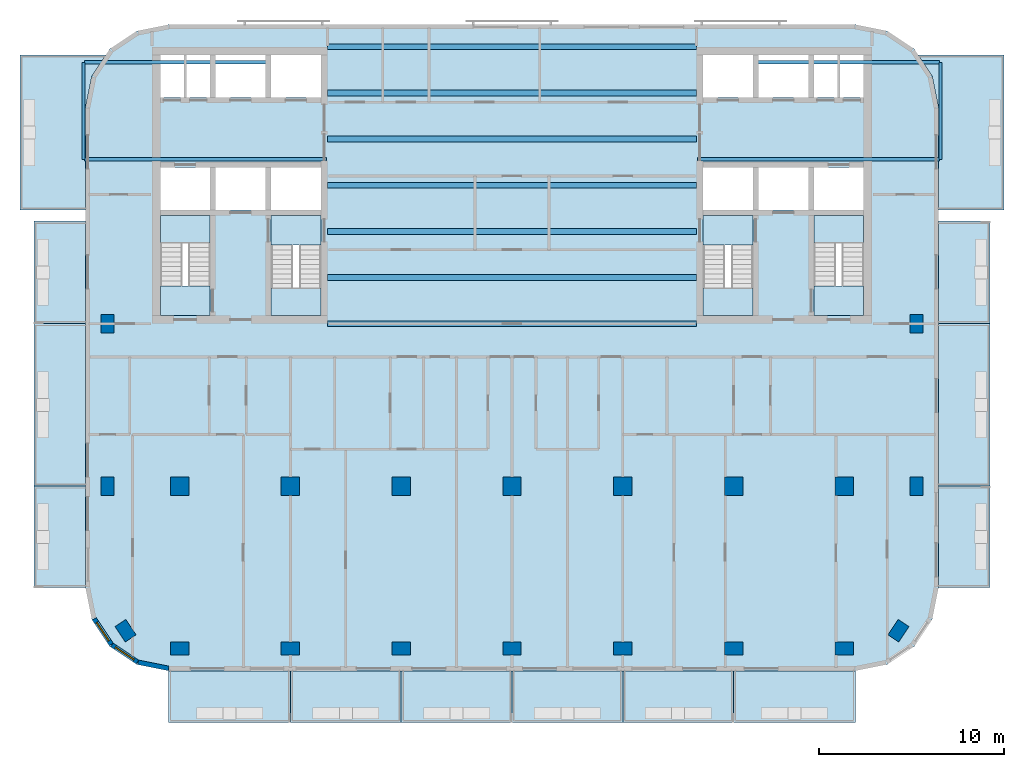
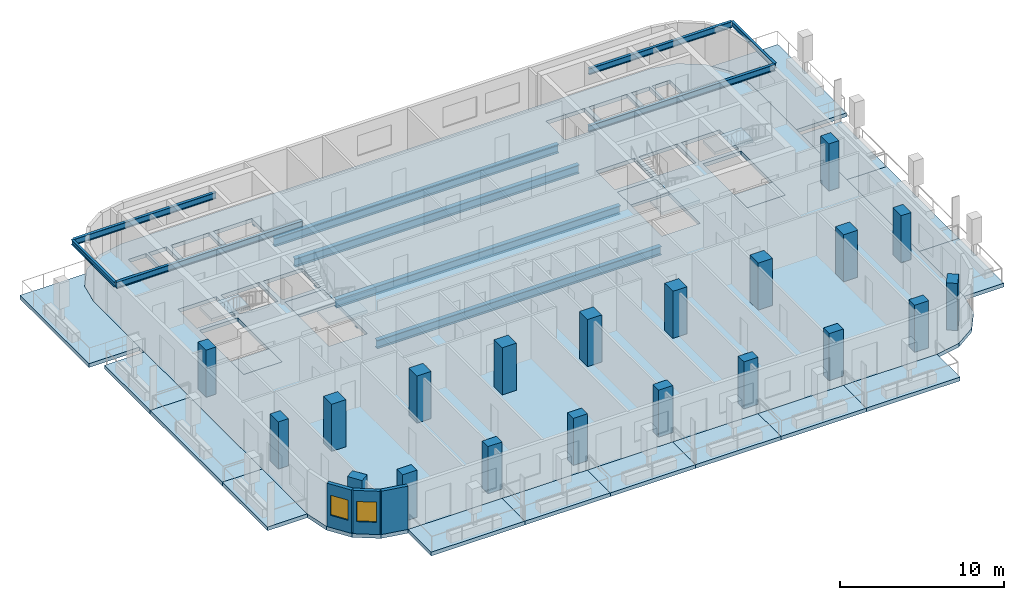
# One storey, part 1 of 11: 23 slabs, 20 columns, 13 beams, 3 walls, 2 windows, 2 openings, 4 elements without a shape of their own.
"""IFC4 building model written with IfcOpenShell, lengths in metres."""

from ifc_helpers import new_model, si_unit, direction, frame, frame_2d, origin, origin_2d, place, context, subcontext, project, spatial, polyline, rectangle, i_section, outline, extrude, material, layer, layer_set, material_profile, profile_set, type_object, element, fill, aggregate, save


model = new_model("IFC4")

# Units and contexts
model_context = context("Model", 3, precision=1e-05, world=origin(), true_north=direction((0.0, 1.0)))
body_context = subcontext(model_context, "Body", "Model", "MODEL_VIEW")
ifc_project = project(units=[si_unit("LENGTHUNIT", "METRE"), si_unit("AREAUNIT", "SQUARE_METRE"), si_unit("VOLUMEUNIT", "CUBIC_METRE"), si_unit("PLANEANGLEUNIT", "RADIAN"), si_unit("MASSUNIT", "GRAM", prefix="KILO")], contexts=[model_context])

# Site, building, storey
site_placement = place(None, origin())
site = spatial("IfcSite", under=ifc_project, at=site_placement, CompositionType="ELEMENT")
building_placement = place(site_placement, origin())
building = spatial("IfcBuilding", under=site, at=building_placement, Name="Torana Hotel and Residences", CompositionType="ELEMENT")
storey_placement = place(building_placement, frame((0.0, 0.0, 291.10009765625)))
storey = spatial("IfcBuildingStorey", under=building, at=storey_placement, Name="L77", CompositionType="ELEMENT", Elevation=291.10009765625)

# Columns
ifc_material_1 = material(Name="Concrete C50/60", Category="concrete")
ifc_material_profile_1 = material_profile(ifc_material_1, rectangle(XDim=1.0, YDim=1.0, at=origin_2d()), Name="RC 1000x1000")
ifc_profile_set_1 = profile_set([ifc_material_profile_1], Name="Concrete C50/60")
column_type_1 = type_object("IfcColumnType", Name="COLUMN RC 1000x1000 C50/60", PredefinedType="COLUMN", material=ifc_profile_set_1)
for number, where, z_axis, x_axis, name in (
    (1, (-18.0, -23.800048828125, 0.0), (0.0, 0.0, 1.0), (1.0, 0.0, 0.0), "Column L77"),
    (2, (-12.0, -23.800048828125, 0.0), (0.0, 0.0, 1.0), (1.0, 0.0, 0.0), "Column L77"),
    (3, (-6.0, -23.800048828125, 0.0), (0.0, 0.0, 1.0), (1.0, 0.0, 0.0), "Column L77"),
    (4, (0.0, -23.800048828125, 0.0), (0.0, 0.0, 1.0), (1.0, 0.0, 0.0), "Column L77"),
    (5, (6.0, -23.800048828125, 0.0), (0.0, 0.0, 1.0), (1.0, 0.0, 0.0), "Column L77"),
    (6, (12.0, -23.800048828125, 0.0), (0.0, 0.0, 1.0), (1.0, 0.0, 0.0), "Column L77"),
    (7, (18.0, -23.800048828125, 0.0), (0.0, 0.0, 1.0), (1.0, 0.0, 0.0), "Column L77"),
):
    element("IfcColumn", number, at=place(storey_placement, frame(where, z_axis=z_axis, x_axis=x_axis)), inside=storey, type_object=column_type_1, Name=name, PredefinedType="COLUMN", context=body_context, shape_type="SweptSolid", body=[
        extrude(rectangle(XDim=1.0, YDim=1.0, at=origin_2d()), origin(), (0.0, 0.0, 1.0), 3.5),
    ])
ifc_material_2 = material(Name="Concrete C50/60", Category="concrete")
ifc_material_profile_2 = material_profile(ifc_material_2, rectangle(XDim=1.0, YDim=0.699951171875, at=origin_2d()), Name="RC 1000x700")
ifc_profile_set_2 = profile_set([ifc_material_profile_2], Name="Concrete C50/60")
column_type_2 = type_object("IfcColumnType", Name="COLUMN RC 1000x700 C50/60", PredefinedType="COLUMN", material=ifc_profile_set_2)
for number, where, z_axis, x_axis, name in (
    (8, (-21.89990234375, -23.800048828125, 0.0), (0.0, 0.0, 1.0), (0.0, 1.0, 0.0), "Column L77"),
    (9, (-21.89990234375, -15.0, 0.0), (0.0, 0.0, 1.0), (0.0, 1.0, 0.0), "Column L77"),
    (10, (-20.93310546875, -31.633056640625, 0.0), (0.0, 0.0, 1.0), (-0.555584744817, 0.831459915646, 0.0), "Column L77"),
    (11, (-18.0, -32.60009765625, 0.0), (0.0, 0.0, 1.0), (1.0, 0.0, 0.0), "Column L77"),
    (12, (-12.0, -32.60009765625, 0.0), (0.0, 0.0, 1.0), (1.0, 0.0, 0.0), "Column L77"),
    (13, (-6.0, -32.60009765625, 0.0), (0.0, 0.0, 1.0), (1.0, 0.0, 0.0), "Column L77"),
    (14, (0.0, -32.60009765625, 0.0), (0.0, 0.0, 1.0), (1.0, 0.0, 0.0), "Column L77"),
    (15, (6.0, -32.60009765625, 0.0), (0.0, 0.0, 1.0), (1.0, 0.0, 0.0), "Column L77"),
    (16, (12.0, -32.60009765625, 0.0), (0.0, 0.0, 1.0), (1.0, 0.0, 0.0), "Column L77"),
    (17, (18.0, -32.60009765625, 0.0), (0.0, 0.0, 1.0), (1.0, 0.0, 0.0), "Column L77"),
    (18, (20.93310546875, -31.633056640625, 0.0), (0.0, 0.0, 1.0), (0.555584744817, 0.831459915646, 0.0), "Column L77"),
    (19, (21.89990234375, -23.800048828125, 0.0), (0.0, 0.0, 1.0), (0.0, 1.0, 0.0), "Column L77"),
    (20, (21.89990234375, -15.0, 0.0), (0.0, 0.0, 1.0), (0.0, 1.0, 0.0), "Column L77"),
):
    element("IfcColumn", number, at=place(storey_placement, frame(where, z_axis=z_axis, x_axis=x_axis)), inside=storey, type_object=column_type_2, Name=name, PredefinedType="COLUMN", context=body_context, shape_type="SweptSolid", body=[
        extrude(rectangle(XDim=1.0, YDim=0.699951171875, at=origin_2d()), origin(), (0.0, 0.0, 1.0), 3.5),
    ])

# Beams
ifc_material_3 = material(Name="Steel S355", Category="steel")
ifc_material_profile_3 = material_profile(ifc_material_3, i_section(OverallWidth=0.19287109375, OverallDepth=0.46728515625, WebThickness=0.011474609375, FlangeThickness=0.01953125, FilletRadius=0.01025390625, at=origin_2d()), Name="457x191x98 UB")
ifc_profile_set_3 = profile_set([ifc_material_profile_3], Name="Steel S355")
beam_type_1 = type_object("IfcBeamType", Name="BALCONY CANTILEVER BEAM 457x191x98 UB", PredefinedType="BEAM", material=ifc_profile_set_3)
beam_1_placement = place(storey_placement, frame((-23.1484375, -6.10009765625, 2.986328125), z_axis=(1.0, 0.0, 0.0), x_axis=(0.0, 1.0, 0.0)))
element("IfcBeam", 21, at=beam_1_placement, inside=storey, type_object=beam_type_1, Name="Balcony cantilever beam", PredefinedType="BEAM", context=body_context, shape_type="SweptSolid", body=[
    extrude(i_section(OverallWidth=0.19287109375, OverallDepth=0.46728515625, WebThickness=0.011474609375, FlangeThickness=0.01953125, FilletRadius=0.01025390625, at=origin_2d()), origin(), (0.0, 0.0, 1.0), 13.098388671875),
])
beam_2_placement = place(storey_placement, frame((-23.1484375, -0.85009765625, 2.986328125), z_axis=(1.0, 0.0, 0.0), x_axis=(0.0, 1.0, 0.0)))
element("IfcBeam", 22, at=beam_2_placement, inside=storey, type_object=beam_type_1, Name="Balcony cantilever beam", PredefinedType="BEAM", context=body_context, shape_type="SweptSolid", body=[
    extrude(i_section(OverallWidth=0.19287109375, OverallDepth=0.46728515625, WebThickness=0.011474609375, FlangeThickness=0.01953125, FilletRadius=0.01025390625, at=origin_2d()), origin(), (0.0, 0.0, 1.0), 10.04833984375),
])
beam_3_placement = place(storey_placement, frame((23.1484375, -6.10009765625, 2.986328125), z_axis=(-1.0, 0.0, 0.0), x_axis=(0.0, -1.0, 0.0)))
element("IfcBeam", 23, at=beam_3_placement, inside=storey, type_object=beam_type_1, Name="Balcony cantilever beam", PredefinedType="BEAM", context=body_context, shape_type="SweptSolid", body=[
    extrude(i_section(OverallWidth=0.19287109375, OverallDepth=0.46728515625, WebThickness=0.011474609375, FlangeThickness=0.01953125, FilletRadius=0.01025390625, at=origin_2d()), origin(), (0.0, 0.0, 1.0), 13.098388671875),
])
beam_4_placement = place(storey_placement, frame((23.1484375, -0.85009765625, 2.986328125), z_axis=(-1.0, 0.0, 0.0), x_axis=(0.0, -1.0, 0.0)))
element("IfcBeam", 24, at=beam_4_placement, inside=storey, type_object=beam_type_1, Name="Balcony cantilever beam", PredefinedType="BEAM", context=body_context, shape_type="SweptSolid", body=[
    extrude(i_section(OverallWidth=0.19287109375, OverallDepth=0.46728515625, WebThickness=0.011474609375, FlangeThickness=0.01953125, FilletRadius=0.01025390625, at=origin_2d()), origin(), (0.0, 0.0, 1.0), 10.04833984375),
])
ifc_material_4 = material(Name="Steel S355", Category="steel")
ifc_material_profile_4 = material_profile(ifc_material_4, i_section(OverallWidth=0.173095703125, OverallDepth=0.36328125, WebThickness=0.009033203125, FlangeThickness=0.015625, FilletRadius=0.01025390625, at=origin_2d()), Name="356x171x67 UB")
ifc_profile_set_4 = profile_set([ifc_material_profile_4], Name="Steel S355")
beam_type_2 = type_object("IfcBeamType", Name="BALCONY TIP BEAM 356x171x67 UB", PredefinedType="BEAM", material=ifc_profile_set_4)
for number, where, z_axis, x_axis, name in (
    (25, (-23.205078125, -6.10009765625, 3.0380859375), (0.0, 1.0, 0.0), (-1.0, 0.0, 0.0), "Balcony tip beam"),
    (26, (23.205078125, -6.10009765625, 3.0380859375), (0.0, 1.0, 0.0), (-1.0, 0.0, 0.0), "Balcony tip beam"),
):
    element("IfcBeam", number, at=place(storey_placement, frame(where, z_axis=z_axis, x_axis=x_axis)), inside=storey, type_object=beam_type_2, Name=name, PredefinedType="BEAM", context=body_context, shape_type="SweptSolid", body=[
        extrude(i_section(OverallWidth=0.173095703125, OverallDepth=0.36328125, WebThickness=0.009033203125, FlangeThickness=0.015625, FilletRadius=0.01025390625, at=origin_2d()), origin(), (0.0, 0.0, 1.0), 5.25),
    ])
ifc_material_5 = material(Name="Steel S355", Category="steel")
ifc_material_profile_5 = material_profile(ifc_material_5, i_section(OverallWidth=0.311279296875, OverallDepth=0.6357421875, WebThickness=0.018310546875, FlangeThickness=0.031494140625, FilletRadius=0.0166015625, at=origin_2d()), Name="610x305x238 UB")
ifc_profile_set_5 = profile_set([ifc_material_profile_5], Name="Steel S355")
beam_type_3 = type_object("IfcBeamType", Name="STEEL GIRDER 610x305x238 UB", PredefinedType="BEAM", material=ifc_profile_set_5)
for number, where, z_axis, x_axis, name in (
    (27, (-10.0, -15.0, -0.597900390625), (1.0, 0.0, 0.0), (0.0, 1.0, 0.0), "Floor girder"),
    (28, (-10.0, -12.5, -0.597900390625), (1.0, 0.0, 0.0), (0.0, 1.0, 0.0), "Floor girder"),
    (29, (-10.0, -10.0, -0.597900390625), (1.0, 0.0, 0.0), (0.0, 1.0, 0.0), "Floor girder"),
    (30, (-10.0, -7.5, -0.597900390625), (1.0, 0.0, 0.0), (0.0, 1.0, 0.0), "Floor girder"),
    (31, (-10.0, -5.0, -0.597900390625), (1.0, 0.0, 0.0), (0.0, 1.0, 0.0), "Floor girder"),
    (32, (-10.0, -2.5, -0.597900390625), (1.0, 0.0, 0.0), (0.0, 1.0, 0.0), "Floor girder"),
    (33, (-10.0, 0.0, -0.597900390625), (1.0, 0.0, 0.0), (0.0, 1.0, 0.0), "Floor girder"),
):
    element("IfcBeam", number, at=place(storey_placement, frame(where, z_axis=z_axis, x_axis=x_axis)), inside=storey, type_object=beam_type_3, Name=name, PredefinedType="BEAM", context=body_context, shape_type="SweptSolid", body=[
        extrude(i_section(OverallWidth=0.311279296875, OverallDepth=0.6357421875, WebThickness=0.018310546875, FlangeThickness=0.031494140625, FilletRadius=0.0166015625, at=origin_2d()), origin(), (0.0, 0.0, 1.0), 20.0),
    ])

# Slabs
ifc_material_6 = material(Name="Concrete C40/50", Category="concrete")
ifc_layer_1 = layer(ifc_material_6, 0.280029296875)
ifc_layer_set_1 = layer_set([ifc_layer_1], Name="BAL1 BALCONY SLAB 280")
slab_type_1 = type_object("IfcSlabType", Name="BAL1 BALCONY SLAB 280", PredefinedType="USERDEFINED", material=ifc_layer_set_1)
slab_1_placement = place(storey_placement, frame((0.0, 0.0, -0.280029296875)))
element("IfcSlab", 34, at=slab_1_placement, inside=storey, type_object=slab_type_1, Name="Balcony 01", ObjectType="BALCONY", PredefinedType="USERDEFINED", context=body_context, shape_type="SweptSolid", body=[
    extrude(outline(polyline([(-18.60009765625, -36.60009765625), (-12.0, -36.60009765625), (-12.0, -33.800048828125), (-18.60009765625, -33.800048828125), (-18.60009765625, -36.60009765625)])), origin(), (0.0, 0.0, 1.0), 0.280029296875),
])
slab_2_placement = place(storey_placement, frame((0.0, 0.0, -0.280029296875)))
element("IfcSlab", 35, at=slab_2_placement, inside=storey, type_object=slab_type_1, Name="Balcony 02", ObjectType="BALCONY", PredefinedType="USERDEFINED", context=body_context, shape_type="SweptSolid", body=[
    extrude(outline(polyline([(-12.0, -36.60009765625), (-6.0, -36.60009765625), (-6.0, -33.800048828125), (-12.0, -33.800048828125), (-12.0, -36.60009765625)])), origin(), (0.0, 0.0, 1.0), 0.280029296875),
])
slab_3_placement = place(storey_placement, frame((0.0, 0.0, -0.280029296875)))
element("IfcSlab", 36, at=slab_3_placement, inside=storey, type_object=slab_type_1, Name="Balcony 03", ObjectType="BALCONY", PredefinedType="USERDEFINED", context=body_context, shape_type="SweptSolid", body=[
    extrude(outline(polyline([(-6.0, -36.60009765625), (0.0, -36.60009765625), (0.0, -33.800048828125), (-6.0, -33.800048828125), (-6.0, -36.60009765625)])), origin(), (0.0, 0.0, 1.0), 0.280029296875),
])
slab_4_placement = place(storey_placement, frame((0.0, 0.0, -0.280029296875)))
element("IfcSlab", 37, at=slab_4_placement, inside=storey, type_object=slab_type_1, Name="Balcony 04", ObjectType="BALCONY", PredefinedType="USERDEFINED", context=body_context, shape_type="SweptSolid", body=[
    extrude(outline(polyline([(0.0, -36.60009765625), (6.0, -36.60009765625), (6.0, -33.800048828125), (0.0, -33.800048828125), (0.0, -36.60009765625)])), origin(), (0.0, 0.0, 1.0), 0.280029296875),
])
slab_5_placement = place(storey_placement, frame((0.0, 0.0, -0.280029296875)))
element("IfcSlab", 38, at=slab_5_placement, inside=storey, type_object=slab_type_1, Name="Balcony 05", ObjectType="BALCONY", PredefinedType="USERDEFINED", context=body_context, shape_type="SweptSolid", body=[
    extrude(outline(polyline([(6.0, -36.60009765625), (12.0, -36.60009765625), (12.0, -33.800048828125), (6.0, -33.800048828125), (6.0, -36.60009765625)])), origin(), (0.0, 0.0, 1.0), 0.280029296875),
])
slab_6_placement = place(storey_placement, frame((0.0, 0.0, -0.280029296875)))
element("IfcSlab", 39, at=slab_6_placement, inside=storey, type_object=slab_type_1, Name="Balcony 06", ObjectType="BALCONY", PredefinedType="USERDEFINED", context=body_context, shape_type="SweptSolid", body=[
    extrude(outline(polyline([(12.0, -36.60009765625), (18.60009765625, -36.60009765625), (18.60009765625, -33.800048828125), (12.0, -33.800048828125), (12.0, -36.60009765625)])), origin(), (0.0, 0.0, 1.0), 0.280029296875),
])
slab_7_placement = place(storey_placement, frame((0.0, 0.0, -0.280029296875)))
element("IfcSlab", 40, at=slab_7_placement, inside=storey, type_object=slab_type_1, Name="Balcony 07", ObjectType="BALCONY", PredefinedType="USERDEFINED", context=body_context, shape_type="SweptSolid", body=[
    extrude(outline(polyline([(-25.89990234375, -29.300048828125), (-23.10009765625, -29.300048828125), (-23.10009765625, -23.800048828125), (-25.89990234375, -23.800048828125), (-25.89990234375, -29.300048828125)])), origin(), (0.0, 0.0, 1.0), 0.280029296875),
])
slab_8_placement = place(storey_placement, frame((0.0, 0.0, -0.280029296875)))
element("IfcSlab", 41, at=slab_8_placement, inside=storey, type_object=slab_type_1, Name="Balcony 08", ObjectType="BALCONY", PredefinedType="USERDEFINED", context=body_context, shape_type="SweptSolid", body=[
    extrude(outline(polyline([(-25.89990234375, -23.800048828125), (-23.10009765625, -23.800048828125), (-23.10009765625, -15.0), (-25.89990234375, -15.0), (-25.89990234375, -23.800048828125)])), origin(), (0.0, 0.0, 1.0), 0.280029296875),
])
slab_9_placement = place(storey_placement, frame((0.0, 0.0, -0.280029296875)))
element("IfcSlab", 42, at=slab_9_placement, inside=storey, type_object=slab_type_1, Name="Balcony 09", ObjectType="BALCONY", PredefinedType="USERDEFINED", context=body_context, shape_type="SweptSolid", body=[
    extrude(outline(polyline([(-25.89990234375, -15.0), (-23.10009765625, -15.0), (-23.10009765625, -9.449951171875), (-25.89990234375, -9.449951171875), (-25.89990234375, -15.0)])), origin(), (0.0, 0.0, 1.0), 0.280029296875),
])
slab_10_placement = place(storey_placement, frame((0.0, 0.0, -0.280029296875)))
element("IfcSlab", 43, at=slab_10_placement, inside=storey, type_object=slab_type_1, Name="Balcony 10", ObjectType="BALCONY", PredefinedType="USERDEFINED", context=body_context, shape_type="SweptSolid", body=[
    extrude(outline(polyline([(-26.64990234375, -8.85009765625), (-23.10009765625, -8.85009765625), (-23.10009765625, -3.300048828125), (-22.757568359375, -1.577880859375), (-22.00390625, -0.449951171875), (-26.64990234375, -0.449951171875), (-26.64990234375, -8.85009765625)])), origin(), (0.0, 0.0, 1.0), 0.280029296875),
])
slab_11_placement = place(storey_placement, frame((0.0, 0.0, -0.280029296875)))
element("IfcSlab", 44, at=slab_11_placement, inside=storey, type_object=slab_type_1, Name="Balcony 11", ObjectType="BALCONY", PredefinedType="USERDEFINED", context=body_context, shape_type="SweptSolid", body=[
    extrude(outline(polyline([(23.10009765625, -29.300048828125), (25.89990234375, -29.300048828125), (25.89990234375, -23.800048828125), (23.10009765625, -23.800048828125), (23.10009765625, -29.300048828125)])), origin(), (0.0, 0.0, 1.0), 0.280029296875),
])
slab_12_placement = place(storey_placement, frame((0.0, 0.0, -0.280029296875)))
element("IfcSlab", 45, at=slab_12_placement, inside=storey, type_object=slab_type_1, Name="Balcony 12", ObjectType="BALCONY", PredefinedType="USERDEFINED", context=body_context, shape_type="SweptSolid", body=[
    extrude(outline(polyline([(23.10009765625, -23.800048828125), (25.89990234375, -23.800048828125), (25.89990234375, -15.0), (23.10009765625, -15.0), (23.10009765625, -23.800048828125)])), origin(), (0.0, 0.0, 1.0), 0.280029296875),
])
slab_13_placement = place(storey_placement, frame((0.0, 0.0, -0.280029296875)))
element("IfcSlab", 46, at=slab_13_placement, inside=storey, type_object=slab_type_1, Name="Balcony 13", ObjectType="BALCONY", PredefinedType="USERDEFINED", context=body_context, shape_type="SweptSolid", body=[
    extrude(outline(polyline([(23.10009765625, -15.0), (25.89990234375, -15.0), (25.89990234375, -9.449951171875), (23.10009765625, -9.449951171875), (23.10009765625, -15.0)])), origin(), (0.0, 0.0, 1.0), 0.280029296875),
])
slab_14_placement = place(storey_placement, frame((0.0, 0.0, -0.280029296875)))
element("IfcSlab", 47, at=slab_14_placement, inside=storey, type_object=slab_type_1, Name="Balcony 14", ObjectType="BALCONY", PredefinedType="USERDEFINED", context=body_context, shape_type="SweptSolid", body=[
    extrude(outline(polyline([(23.10009765625, -8.85009765625), (26.64990234375, -8.85009765625), (26.64990234375, -0.449951171875), (22.00390625, -0.449951171875), (22.757568359375, -1.577880859375), (23.10009765625, -3.300048828125), (23.10009765625, -8.85009765625)])), origin(), (0.0, 0.0, 1.0), 0.280029296875),
])
ifc_material_7 = material(Name="Concrete C40/50", Category="concrete")
ifc_layer_2 = layer(ifc_material_7, 0.280029296875)
ifc_layer_set_2 = layer_set([ifc_layer_2], Name="FLOOR SLAB PT 280")
slab_type_2 = type_object("IfcSlabType", Name="FLOOR SLAB PT 280", PredefinedType="FLOOR", material=ifc_layer_set_2)
slab_15_placement = place(storey_placement, frame((0.0, 0.0, -0.280029296875)))
element("IfcSlab", 48, at=slab_15_placement, inside=storey, type_object=slab_type_2, Name="Floor slab", PredefinedType="FLOOR", context=body_context, shape_type="SweptSolid", body=[
    extrude(outline(polyline([(23.10009765625, -3.300048828125), (22.757568359375, -1.577880859375), (21.781982421875, -0.117919921875), (20.322021484375, 0.857421875), (18.60009765625, 1.199951171875), (-18.60009765625, 1.199951171875), (-20.322021484375, 0.857421875), (-21.781982421875, -0.117919921875), (-22.757568359375, -1.577880859375), (-23.10009765625, -3.300048828125), (-23.10009765625, -29.300048828125), (-22.757568359375, -31.022216796875), (-21.781982421875, -32.48193359375), (-20.322021484375, -33.45751953125), (-18.60009765625, -33.800048828125), (18.60009765625, -33.800048828125), (20.322021484375, -33.45751953125), (21.781982421875, -32.48193359375), (22.757568359375, -31.022216796875), (23.10009765625, -29.300048828125), (23.10009765625, -3.300048828125)]), holes=[polyline([(-13.050048828125, -14.550048828125), (-10.35009765625, -14.550048828125), (-10.35009765625, -9.14990234375), (-13.050048828125, -9.14990234375), (-13.050048828125, -14.550048828125)]), polyline([(-19.050048828125, -14.550048828125), (-16.35009765625, -14.550048828125), (-16.35009765625, -9.14990234375), (-19.050048828125, -9.14990234375), (-19.050048828125, -14.550048828125)]), polyline([(-17.625, -2.75), (-16.35009765625, -2.75), (-16.35009765625, -0.449951171875), (-17.625, -0.449951171875), (-17.625, -2.75)]), polyline([(-19.050048828125, -2.75), (-17.77490234375, -2.75), (-17.77490234375, -0.449951171875), (-19.050048828125, -0.449951171875), (-19.050048828125, -2.75)]), polyline([(-13.050048828125, -2.75), (-10.35009765625, -2.75), (-10.35009765625, -0.449951171875), (-13.050048828125, -0.449951171875), (-13.050048828125, -2.75)]), polyline([(-16.050048828125, -2.75), (-13.35009765625, -2.75), (-13.35009765625, -0.449951171875), (-16.050048828125, -0.449951171875), (-16.050048828125, -2.75)]), polyline([(-13.050048828125, -8.85009765625), (-10.35009765625, -8.85009765625), (-10.35009765625, -6.550048828125), (-13.050048828125, -6.550048828125), (-13.050048828125, -8.85009765625)]), polyline([(-16.050048828125, -8.85009765625), (-13.35009765625, -8.85009765625), (-13.35009765625, -6.550048828125), (-16.050048828125, -6.550048828125), (-16.050048828125, -8.85009765625)]), polyline([(-19.050048828125, -8.85009765625), (-16.35009765625, -8.85009765625), (-16.35009765625, -6.550048828125), (-19.050048828125, -6.550048828125), (-19.050048828125, -8.85009765625)]), polyline([(10.35009765625, -14.550048828125), (13.050048828125, -14.550048828125), (13.050048828125, -9.14990234375), (10.35009765625, -9.14990234375), (10.35009765625, -14.550048828125)]), polyline([(16.35009765625, -14.550048828125), (19.050048828125, -14.550048828125), (19.050048828125, -9.14990234375), (16.35009765625, -9.14990234375), (16.35009765625, -14.550048828125)]), polyline([(16.35009765625, -2.75), (17.625, -2.75), (17.625, -0.449951171875), (16.35009765625, -0.449951171875), (16.35009765625, -2.75)]), polyline([(17.77490234375, -2.75), (19.050048828125, -2.75), (19.050048828125, -0.449951171875), (17.77490234375, -0.449951171875), (17.77490234375, -2.75)]), polyline([(10.35009765625, -2.75), (13.050048828125, -2.75), (13.050048828125, -0.449951171875), (10.35009765625, -0.449951171875), (10.35009765625, -2.75)]), polyline([(13.35009765625, -2.75), (16.050048828125, -2.75), (16.050048828125, -0.449951171875), (13.35009765625, -0.449951171875), (13.35009765625, -2.75)]), polyline([(10.35009765625, -8.85009765625), (13.050048828125, -8.85009765625), (13.050048828125, -6.550048828125), (10.35009765625, -6.550048828125), (10.35009765625, -8.85009765625)]), polyline([(13.35009765625, -8.85009765625), (16.050048828125, -8.85009765625), (16.050048828125, -6.550048828125), (13.35009765625, -6.550048828125), (13.35009765625, -8.85009765625)]), polyline([(16.35009765625, -8.85009765625), (19.050048828125, -8.85009765625), (19.050048828125, -6.550048828125), (16.35009765625, -6.550048828125), (16.35009765625, -8.85009765625)])]), origin(), (0.0, 0.0, 1.0), 0.280029296875),
])

# Stair, slabs
ifc_material_8 = material(Name="Concrete C40/50 precast", Category="concrete")
stair_type_1 = type_object("IfcStairType", Name="STAIR ST1 HALF TURN 1200", PredefinedType="HALF_TURN_STAIR", material=ifc_material_8)
stair_1_placement = place(storey_placement, origin())
stair_1 = element("IfcStair", 49, at=stair_1_placement, inside=storey, type_object=stair_type_1, Name="Stair ST1 L77", PredefinedType="HALF_TURN_STAIR")
ifc_material_9 = material(Name="Concrete C40/50 precast", Category="concrete")
ifc_layer_3 = layer(ifc_material_9, 0.199951171875)
ifc_layer_set_3 = layer_set([ifc_layer_3], Name="STAIR LANDING 200")
slab_type_3 = type_object("IfcSlabType", Name="STAIR LANDING 200", PredefinedType="LANDING", material=ifc_layer_set_3)
slab_16_placement = place(storey_placement, frame((0.0, 0.0, 1.5498046875)))
slab_16 = element("IfcSlab", 50, at=slab_16_placement, type_object=slab_type_3, Name="ST1 landing 1", PredefinedType="LANDING", context=body_context, shape_type="SweptSolid", body=[
    extrude(outline(polyline([(-13.050048828125, -14.550048828125), (-10.35009765625, -14.550048828125), (-10.35009765625, -13.090087890625), (-13.050048828125, -13.090087890625), (-13.050048828125, -14.550048828125)])), origin(), (0.0, 0.0, 1.0), 0.2001953125),
])
slab_17_placement = place(storey_placement, frame((0.0, 0.0, -0.2001953125)))
slab_17 = element("IfcSlab", 51, at=slab_17_placement, type_object=slab_type_3, Name="ST1 landing 2", PredefinedType="LANDING", context=body_context, shape_type="SweptSolid", body=[
    extrude(outline(polyline([(-13.050048828125, -10.75), (-10.35009765625, -10.75), (-10.35009765625, -9.14990234375), (-13.050048828125, -9.14990234375), (-13.050048828125, -10.75)])), origin(), (0.0, 0.0, 1.0), 0.2001953125),
])
aggregate(stair_1, [slab_16, slab_17])

ifc_material_10 = material(Name="Concrete C40/50 precast", Category="concrete")
stair_type_2 = type_object("IfcStairType", Name="STAIR ST2 HALF TURN 1200", PredefinedType="HALF_TURN_STAIR", material=ifc_material_10)
stair_2_placement = place(storey_placement, origin())
stair_2 = element("IfcStair", 52, at=stair_2_placement, inside=storey, type_object=stair_type_2, Name="Stair ST2 L77", PredefinedType="HALF_TURN_STAIR")
slab_18_placement = place(storey_placement, frame((0.0, 0.0, 1.5498046875)))
slab_18 = element("IfcSlab", 53, at=slab_18_placement, type_object=slab_type_3, Name="ST2 landing 1", PredefinedType="LANDING", context=body_context, shape_type="SweptSolid", body=[
    extrude(outline(polyline([(-19.050048828125, -10.610107421875), (-16.35009765625, -10.610107421875), (-16.35009765625, -9.14990234375), (-19.050048828125, -9.14990234375), (-19.050048828125, -10.610107421875)])), origin(), (0.0, 0.0, 1.0), 0.2001953125),
])
slab_19_placement = place(storey_placement, frame((0.0, 0.0, -0.2001953125)))
slab_19 = element("IfcSlab", 54, at=slab_19_placement, type_object=slab_type_3, Name="ST2 landing 2", PredefinedType="LANDING", context=body_context, shape_type="SweptSolid", body=[
    extrude(outline(polyline([(-19.050048828125, -14.550048828125), (-16.35009765625, -14.550048828125), (-16.35009765625, -12.949951171875), (-19.050048828125, -12.949951171875), (-19.050048828125, -14.550048828125)])), origin(), (0.0, 0.0, 1.0), 0.2001953125),
])
aggregate(stair_2, [slab_18, slab_19])

ifc_material_11 = material(Name="Concrete C40/50 precast", Category="concrete")
stair_type_3 = type_object("IfcStairType", Name="STAIR ST3 HALF TURN 1200", PredefinedType="HALF_TURN_STAIR", material=ifc_material_11)
stair_3_placement = place(storey_placement, origin())
stair_3 = element("IfcStair", 55, at=stair_3_placement, inside=storey, type_object=stair_type_3, Name="Stair ST3 L77", PredefinedType="HALF_TURN_STAIR")
slab_20_placement = place(storey_placement, frame((0.0, 0.0, 1.5498046875)))
slab_20 = element("IfcSlab", 56, at=slab_20_placement, type_object=slab_type_3, Name="ST3 landing 1", PredefinedType="LANDING", context=body_context, shape_type="SweptSolid", body=[
    extrude(outline(polyline([(10.35009765625, -14.550048828125), (13.050048828125, -14.550048828125), (13.050048828125, -13.090087890625), (10.35009765625, -13.090087890625), (10.35009765625, -14.550048828125)])), origin(), (0.0, 0.0, 1.0), 0.2001953125),
])
slab_21_placement = place(storey_placement, frame((0.0, 0.0, -0.2001953125)))
slab_21 = element("IfcSlab", 57, at=slab_21_placement, type_object=slab_type_3, Name="ST3 landing 2", PredefinedType="LANDING", context=body_context, shape_type="SweptSolid", body=[
    extrude(outline(polyline([(10.35009765625, -10.75), (13.050048828125, -10.75), (13.050048828125, -9.14990234375), (10.35009765625, -9.14990234375), (10.35009765625, -10.75)])), origin(), (0.0, 0.0, 1.0), 0.2001953125),
])
aggregate(stair_3, [slab_20, slab_21])

ifc_material_12 = material(Name="Concrete C40/50 precast", Category="concrete")
stair_type_4 = type_object("IfcStairType", Name="STAIR ST4 HALF TURN 1200", PredefinedType="HALF_TURN_STAIR", material=ifc_material_12)
stair_4_placement = place(storey_placement, origin())
stair_4 = element("IfcStair", 58, at=stair_4_placement, inside=storey, type_object=stair_type_4, Name="Stair ST4 L77", PredefinedType="HALF_TURN_STAIR")
slab_22_placement = place(storey_placement, frame((0.0, 0.0, 1.5498046875)))
slab_22 = element("IfcSlab", 59, at=slab_22_placement, type_object=slab_type_3, Name="ST4 landing 1", PredefinedType="LANDING", context=body_context, shape_type="SweptSolid", body=[
    extrude(outline(polyline([(16.35009765625, -10.610107421875), (19.050048828125, -10.610107421875), (19.050048828125, -9.14990234375), (16.35009765625, -9.14990234375), (16.35009765625, -10.610107421875)])), origin(), (0.0, 0.0, 1.0), 0.2001953125),
])
slab_23_placement = place(storey_placement, frame((0.0, 0.0, -0.2001953125)))
slab_23 = element("IfcSlab", 60, at=slab_23_placement, type_object=slab_type_3, Name="ST4 landing 2", PredefinedType="LANDING", context=body_context, shape_type="SweptSolid", body=[
    extrude(outline(polyline([(16.35009765625, -14.550048828125), (19.050048828125, -14.550048828125), (19.050048828125, -12.949951171875), (16.35009765625, -12.949951171875), (16.35009765625, -14.550048828125)])), origin(), (0.0, 0.0, 1.0), 0.2001953125),
])
aggregate(stair_4, [slab_22, slab_23])

# Wall, opening, window
ifc_material_13 = material(Name="Black aluminium composite panel", Category="aluminium")
ifc_layer_4 = layer(ifc_material_13, 0.00390625, Name="Cladding", Category="cladding")
ifc_material_14 = material(Name="Ventilated air cavity")
ifc_layer_5 = layer(ifc_material_14, 0.0400390625, Name="Ventilated cavity", Category="cavity")
ifc_material_15 = material(Name="Mineral wool insulation")
ifc_layer_6 = layer(ifc_material_15, 0.090087890625, Name="Insulation", Category="insulation")
ifc_material_16 = material(Name="Steel S280GD", Category="steel")
ifc_layer_7 = layer(ifc_material_16, 0.092041015625, Name="Steel stud frame", Category="structure")
ifc_material_17 = material(Name="Fire rated plasterboard")
ifc_layer_8 = layer(ifc_material_17, 0.011962890625, Name="Inner board", Category="finish")
ifc_layer_9 = layer(ifc_material_17, 0.011962890625, Name="Second board", Category="finish")
ifc_layer_set_4 = layer_set([ifc_layer_4, ifc_layer_5, ifc_layer_6, ifc_layer_7, ifc_layer_8, ifc_layer_9], Name="EW1 EXTERNAL WALL BLACK METAL CLAD 250")
wall_type = type_object("IfcWallType", Name="EW1 EXTERNAL WALL BLACK METAL CLAD 250", PredefinedType="SOLIDWALL", material=ifc_layer_set_4)
wall_1_placement = place(storey_placement, frame((-22.6259765625, -30.993896484375, 0.0), z_axis=(0.0, 0.0, 1.0), x_axis=(0.55555029066, -0.831482937015, 0.0)))
wall_1 = element("IfcWall", 61, at=wall_1_placement, inside=storey, type_object=wall_type, Name="External wall L77 e0.11", PredefinedType="SOLIDWALL", context=body_context, shape_type="SweptSolid", body=[
    extrude(rectangle(XDim=1.65625, YDim=0.25, at=frame_2d((0.828125, 0.0))), origin(), (0.0, 0.0, 1.0), 3.219970703125),
])
opening_1_placement = place(wall_1_placement, frame((0.228271484375, 0.0, 0.89990234375)))
opening_1 = element("IfcOpeningElement", 62, at=opening_1_placement, cuts=wall_1, Name="Opening W5", PredefinedType="OPENING", context=body_context, shape_type="SweptSolid", body=[
    extrude(rectangle(XDim=1.199951171875, YDim=1.5, at=frame_2d((0.60009765625, 0.75))), frame((0.0, 0.135009765625, 0.0), z_axis=(0.0, -1.0, 0.0), x_axis=(1.0, 0.0, 0.0)), (0.0, 0.0, 1.0), 0.27001953125),
])
ifc_material_18 = material(Name="Dark glass in black aluminium frame", Category="aluminium")
window_type = type_object("IfcWindowType", Name="W5 CORNER FACET WINDOW 1200x1500", PartitioningType="SINGLE_PANEL", PredefinedType="WINDOW", material=ifc_material_18)
window_1_placement = place(opening_1_placement, origin())
window_1 = element("IfcWindow", 63, at=window_1_placement, inside=storey, type_object=window_type, Name="Window L77 e0.11", OverallHeight=1.5, OverallWidth=1.199951171875, PartitioningType="SINGLE_PANEL", PredefinedType="WINDOW", context=body_context, shape_type="SweptSolid", body=[
    extrude(rectangle(XDim=1.199951171875, YDim=1.5, at=frame_2d((0.60009765625, 0.75))), frame((0.0, 0.030029296875, 0.0), z_axis=(0.0, -1.0, 0.0), x_axis=(1.0, 0.0, 0.0)), (0.0, 0.0, 1.0), 0.06005859375),
])
fill(opening_1, window_1)

wall_2_placement = place(storey_placement, frame((-21.671142578125, -32.40576171875, 0.0), z_axis=(0.0, 0.0, 1.0), x_axis=(0.831482937015, -0.55555029066, 0.0)))
wall_2 = element("IfcWall", 64, at=wall_2_placement, inside=storey, type_object=wall_type, Name="External wall L77 e0.12", PredefinedType="SOLIDWALL", context=body_context, shape_type="SweptSolid", body=[
    extrude(rectangle(XDim=1.65625, YDim=0.25, at=frame_2d((0.828125, 0.0))), origin(), (0.0, 0.0, 1.0), 3.219970703125),
])
opening_2_placement = place(wall_2_placement, frame((0.228271484375, 0.0, 0.89990234375)))
opening_2 = element("IfcOpeningElement", 65, at=opening_2_placement, cuts=wall_2, Name="Opening W5", PredefinedType="OPENING", context=body_context, shape_type="SweptSolid", body=[
    extrude(rectangle(XDim=1.199951171875, YDim=1.5, at=frame_2d((0.60009765625, 0.75))), frame((0.0, 0.135009765625, 0.0), z_axis=(0.0, -1.0, 0.0), x_axis=(1.0, 0.0, 0.0)), (0.0, 0.0, 1.0), 0.27001953125),
])
window_2_placement = place(opening_2_placement, origin())
window_2 = element("IfcWindow", 66, at=window_2_placement, inside=storey, type_object=window_type, Name="Window L77 e0.12", OverallHeight=1.5, OverallWidth=1.199951171875, PartitioningType="SINGLE_PANEL", PredefinedType="WINDOW", context=body_context, shape_type="SweptSolid", body=[
    extrude(rectangle(XDim=1.199951171875, YDim=1.5, at=frame_2d((0.60009765625, 0.75))), frame((0.0, 0.030029296875, 0.0), z_axis=(0.0, -1.0, 0.0), x_axis=(1.0, 0.0, 0.0)), (0.0, 0.0, 1.0), 0.06005859375),
])
fill(opening_2, window_2)

# Wall
wall_3_placement = place(storey_placement, frame((-20.248779296875, -33.344482421875, 0.0), z_axis=(0.0, 0.0, 1.0), x_axis=(0.980770110232, -0.195166572128, 0.0)))
element("IfcWall", 67, at=wall_3_placement, inside=storey, type_object=wall_type, Name="External wall L77 e0.13", PredefinedType="SOLIDWALL", context=body_context, shape_type="SweptSolid", body=[
    extrude(rectangle(XDim=1.68115234375, YDim=0.25, at=frame_2d((0.840576171875, 0.0))), origin(), (0.0, 0.0, 1.0), 3.219970703125),
])

save(model, "model.ifc")
